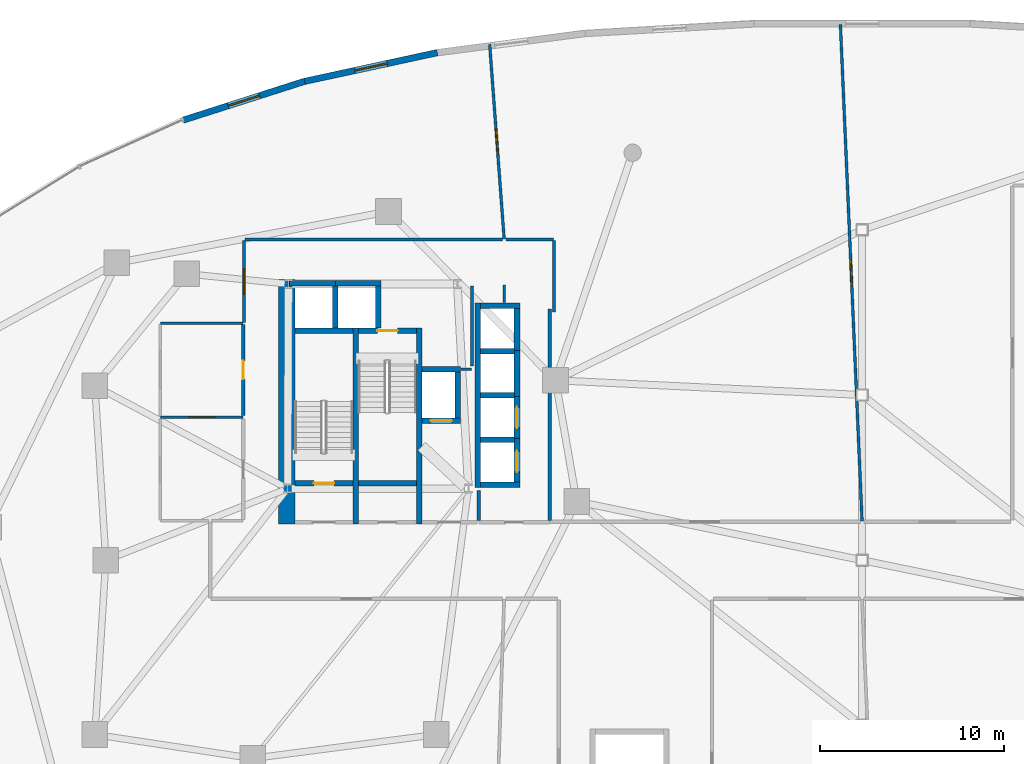
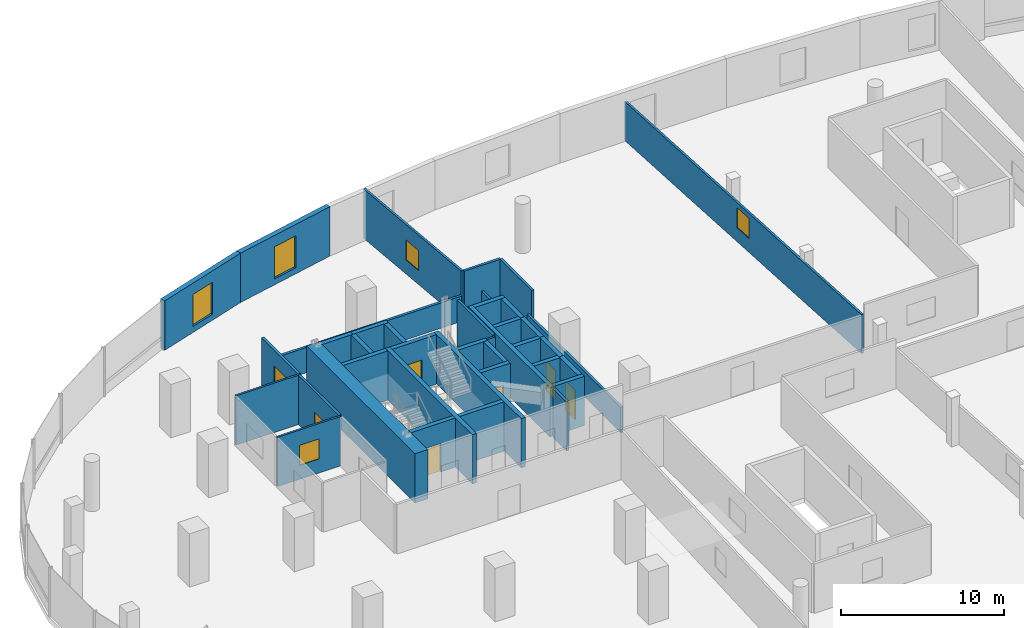
# One storey, part 13 of 18: 40 walls, 6 doors, 6 windows, 12 openings.
"""IFC4 building model written with IfcOpenShell, lengths in metres."""

import ifcopenshell
import ifcopenshell.guid

model = None  # the IFC model being written
_history = None  # IfcOwnerHistory: only IFC2X3 demands one
_inside = {}  # id of a spatial element -> (the spatial element, [elements in it])
_under = {}  # id of a project, library or spatial element -> (it, [spatial elements below it])
_declared = {}  # id of a project -> (the project, [libraries it declares])
_typed = {}  # id of a type object -> (the type object, [elements of that type])
_made_of = {}  # id of a material, layer set ... -> (it, [elements and type objects made of it])


def new_model(schema):
    """Start an empty IFC model of exactly this schema.

    Asked for "IFC4X3", IfcOpenShell would pick the latest addendum, in which some entities
    have other attributes; the version numbers below select the first issue.
    IFC2X3 requires an IfcOwnerHistory on every rooted entity: one is made here for all.
    """
    global model, _history
    if schema == "IFC4X3":
        model = ifcopenshell.file(schema_version=(4, 3, 0, 0))
    else:
        model = ifcopenshell.file(schema=schema)
    _inside.clear()
    _under.clear()
    _declared.clear()
    _typed.clear()
    _made_of.clear()
    _history = None
    if model.schema == "IFC2X3":
        org = make("IfcOrganization", Name="unknown")
        user = make(
            "IfcPersonAndOrganization",
            ThePerson=make("IfcPerson", FamilyName="unknown"),
            TheOrganization=org,
        )
        app = make(
            "IfcApplication",
            ApplicationDeveloper=org,
            Version="unknown",
            ApplicationFullName="unknown",
            ApplicationIdentifier="unknown",
        )
        _history = make(
            "IfcOwnerHistory",
            OwningUser=user,
            OwningApplication=app,
            ChangeAction="ADDED",
            CreationDate=0,
        )
    return model


def make(cls, **values):
    """One entity of the class cls with the attributes given. An attribute that is None is left unset."""
    return model.create_entity(
        cls, **{name: value for name, value in values.items() if value is not None}
    )


def rooted(cls, **values):
    """An entity with a GlobalId (a new one), such as an element, a storey or a relation."""
    return make(cls, GlobalId=ifcopenshell.guid.new(), OwnerHistory=_history, **values)


def si_unit(unit_type, name, prefix=None):
    """IfcSIUnit, for example si_unit("LENGTHUNIT", "METRE", prefix="MILLI")."""
    return make("IfcSIUnit", UnitType=unit_type, Prefix=prefix, Name=name)


def assignment(units):
    """IfcUnitAssignment: the units of a project."""
    return None if units is None else make("IfcUnitAssignment", Units=units)


def point(xyz):
    """IfcCartesianPoint."""
    return None if xyz is None else make("IfcCartesianPoint", Coordinates=xyz)


def direction(xyz):
    """IfcDirection."""
    return None if xyz is None else make("IfcDirection", DirectionRatios=xyz)


def frame(location, z_axis=None, x_axis=None):
    """IfcAxis2Placement3D, a coordinate frame: its origin and axes. An axis left out is left unset."""
    return make(
        "IfcAxis2Placement3D",
        Location=point(location),
        Axis=direction(z_axis),
        RefDirection=direction(x_axis),
    )


def frame_2d(location, x_axis=None):
    """IfcAxis2Placement2D, a coordinate frame in the plane: its origin and x axis."""
    return make(
        "IfcAxis2Placement2D", Location=point(location), RefDirection=direction(x_axis)
    )


def origin():
    """The frame at (0, 0, 0) with its axes left unset."""
    return frame((0.0, 0.0, 0.0))


def place(relative_to, where):
    """IfcLocalPlacement: puts the frame where relative to a parent placement (None: the world)."""
    return make(
        "IfcLocalPlacement", PlacementRelTo=relative_to, RelativePlacement=where
    )


def context(
    kind, dimensions, precision=None, world=None, true_north=None, identifier=None
):
    """IfcGeometricRepresentationContext, for example the 3D "Model" context."""
    return make(
        "IfcGeometricRepresentationContext",
        ContextIdentifier=identifier,
        ContextType=kind,
        CoordinateSpaceDimension=dimensions,
        Precision=precision,
        WorldCoordinateSystem=world,
        TrueNorth=true_north,
    )


def subcontext(parent, identifier, kind, view, scale=None):
    """IfcGeometricRepresentationSubContext, for example "Body" below "Model"."""
    return make(
        "IfcGeometricRepresentationSubContext",
        ContextIdentifier=identifier,
        ContextType=kind,
        ParentContext=parent,
        TargetScale=scale,
        TargetView=view,
    )


def project(units=None, contexts=None):
    """IfcProject with its units and contexts."""
    return rooted(
        "IfcProject",
        Name="project",
        RepresentationContexts=contexts,
        UnitsInContext=assignment(units),
    )


def spatial(cls, under=None, at=None, **own):
    """A site, building, storey or space (cls), placed at a placement, below another one or the project."""
    s = rooted(cls, ObjectPlacement=at, **own)
    if under is not None:
        _under.setdefault(under.id(), (under, []))[1].append(s)
    return s


def profile(cls, at=None, kind="AREA", **sizes):
    """A parametric profile (cls). Its sizes go by their IFC names, for example OverallWidth=200.0."""
    return make(cls, ProfileType=kind, Position=at, **sizes)


def rectangle(**sizes):
    """IfcRectangleProfileDef."""
    return profile("IfcRectangleProfileDef", **sizes)


def extrude(swept, where, along, depth):
    """IfcExtrudedAreaSolid: the profile swept, set in the frame where, extruded along a direction by depth."""
    return make(
        "IfcExtrudedAreaSolid",
        SweptArea=swept,
        Position=where,
        ExtrudedDirection=direction(along),
        Depth=depth,
    )


def shape(context_of_items, identifier, shape_type, items):
    """IfcShapeRepresentation: the items that make up one representation, for example the "Body"."""
    return make(
        "IfcShapeRepresentation",
        ContextOfItems=context_of_items,
        RepresentationIdentifier=identifier,
        RepresentationType=shape_type,
        Items=items,
    )


def material(Name=None, Category=None):
    """IfcMaterial."""
    return make("IfcMaterial", Name=Name, Category=Category)


def layer(
    of_material, thickness, ventilated=None, Name=None, Category=None, Priority=None
):
    """IfcMaterialLayer: one layer of a wall or slab, of a material (None: an air gap)."""
    return make(
        "IfcMaterialLayer",
        Material=of_material,
        LayerThickness=thickness,
        IsVentilated=ventilated,
        Name=Name,
        Category=Category,
        Priority=Priority,
    )


def layer_set(layers, Name=None):
    """IfcMaterialLayerSet."""
    return make("IfcMaterialLayerSet", MaterialLayers=layers, LayerSetName=Name)


def made_of(thing, what):
    """Note that an element or type object is made of a material, layer set ...; save() writes the relation."""
    if what is not None:
        _made_of.setdefault(what.id(), (what, []))[1].append(thing)
    return thing


def type_object(cls, material=None, **own):
    """A type object (cls), such as IfcWallType, which elements share."""
    return made_of(rooted(cls, **own), material)


def element(
    cls,
    number,
    at=None,
    inside=None,
    cuts=None,
    type_object=None,
    material=None,
    context=None,
    identifier="Body",
    shape_type=None,
    held_by="IfcProductDefinitionShape",
    body=None,
    shapes=None,
    **own,
):
    """One element of the class cls, such as IfcWall. Its Tag is "e" and its number.

    at: its placement. inside: the storey or other place that contains it. cuts: it is an
    opening in that element (IfcRelVoidsElement). A single representation is given by context,
    identifier, shape_type and body (its items); several are given by shapes. held_by: the class
    of the entity that holds the representations. save() writes the other relations.
    """
    e = rooted(cls, Tag="e%d" % number, ObjectPlacement=at, **own)
    if body is not None:
        shapes = [shape(context, identifier, shape_type, body)]
    if shapes is not None:
        e.Representation = make(held_by, Representations=shapes)
    if inside is not None:
        _inside.setdefault(inside.id(), (inside, []))[1].append(e)
    if cuts is not None:
        rooted(
            "IfcRelVoidsElement", RelatingBuildingElement=cuts, RelatedOpeningElement=e
        )
    if type_object is not None:
        _typed.setdefault(type_object.id(), (type_object, []))[1].append(e)
    return made_of(e, material)


def fill(opening, filler):
    """IfcRelFillsElement: the door or window that sits in an opening."""
    return rooted(
        "IfcRelFillsElement",
        RelatingOpeningElement=opening,
        RelatedBuildingElement=filler,
    )


def aggregate(whole, parts):
    """IfcRelAggregates: a whole, such as a stair, and the parts it consists of."""
    return rooted("IfcRelAggregates", RelatingObject=whole, RelatedObjects=parts)


def save(model, path):
    """Write the relations noted so far, then the file.

    IfcRelAggregates (storeys below a building ...), IfcRelContainedInSpatialStructure (elements
    in a storey), IfcRelDefinesByType, IfcRelAssociatesMaterial and IfcRelDeclares: one each for
    every whole, place, type object, material and project.
    """
    for whole, parts in _under.values():
        aggregate(whole, parts)
    for where, things in _inside.values():
        rooted(
            "IfcRelContainedInSpatialStructure",
            RelatedElements=things,
            RelatingStructure=where,
        )
    for kind, things in _typed.values():
        rooted("IfcRelDefinesByType", RelatedObjects=things, RelatingType=kind)
    for what, things in _made_of.values():
        rooted("IfcRelAssociatesMaterial", RelatedObjects=things, RelatingMaterial=what)
    for by, libraries in _declared.values():
        rooted("IfcRelDeclares", RelatingContext=by, RelatedDefinitions=libraries)
    model.write(path)


model = new_model("IFC4")

# Units and contexts
model_context = context("Model", 3, precision=1e-05, world=origin(), true_north=direction((0.0, 1.0)))
body_context = subcontext(model_context, "Body", "Model", "MODEL_VIEW")
ifc_project = project(units=[si_unit("LENGTHUNIT", "METRE"), si_unit("AREAUNIT", "SQUARE_METRE"), si_unit("VOLUMEUNIT", "CUBIC_METRE"), si_unit("PLANEANGLEUNIT", "RADIAN"), si_unit("MASSUNIT", "GRAM", prefix="KILO"), si_unit("THERMODYNAMICTEMPERATUREUNIT", "KELVIN"), si_unit("POWERUNIT", "WATT")], contexts=[model_context])

# Site, building, storey
site_placement = place(None, origin())
site = spatial("IfcSite", under=ifc_project, at=site_placement, CompositionType="ELEMENT")
building_placement = place(site_placement, origin())
building = spatial("IfcBuilding", under=site, at=building_placement, Name="Cundina Bronze Exchange", CompositionType="ELEMENT")
storey_placement = place(building_placement, frame((0.0, 0.0, 20.0)))
storey = spatial("IfcBuildingStorey", under=building, at=storey_placement, Name="L04", CompositionType="ELEMENT", Elevation=20.0)

# Walls
ifc_material_1 = material(Name="Gypsum Fireboard Partition EI120")
ifc_layer_1 = layer(ifc_material_1, 0.179931640625, Name="Gypsum Fireboard Partition EI120")
ifc_layer_set_1 = layer_set([ifc_layer_1], Name="Gypsum Fireboard Partition EI120")
wall_type_1 = type_object("IfcWallType", Name="WL-COR-180", PredefinedType="PARTITIONING", material=ifc_layer_set_1)
wall_1_placement = place(storey_placement, frame((-20.889892578125, 2.14990234375, 0.0), z_axis=(0.0, 0.0, 1.0), x_axis=(0.0, 1.0, 0.0)))
element("IfcWall", 1, at=wall_1_placement, inside=storey, type_object=wall_type_1, Name="L04 W Firefighting Lobby Side Wall", PredefinedType="PARTITIONING", context=body_context, shape_type="SweptSolid", body=[
    extrude(rectangle(XDim=1.650146484375, YDim=0.179931640625, at=frame_2d((0.8251953125, 0.0))), origin(), (0.0, 0.0, 1.0), 3.699951171875),
])
wall_2_placement = place(storey_placement, frame((-17.02001953125, 2.169921875, 0.0), z_axis=(0.0, 0.0, 1.0), x_axis=(0.0, 1.0, 0.0)))
element("IfcWall", 2, at=wall_2_placement, inside=storey, type_object=wall_type_1, Name="L04 Interior Partition 001", PredefinedType="PARTITIONING", context=body_context, shape_type="SweptSolid", body=[
    extrude(rectangle(XDim=11.510009765625, YDim=0.179931640625, at=frame_2d((5.7548828125, 0.0))), origin(), (0.0, 0.0, 1.0), 1.89990234375),
])
wall_3_placement = place(storey_placement, frame((-21.25, 10.570068359375, 0.0), z_axis=(0.0, 0.0, 1.0), x_axis=(0.0, 1.0, 0.0)))
element("IfcWall", 3, at=wall_3_placement, inside=storey, type_object=wall_type_1, Name="L04 Interior Partition 004", PredefinedType="PARTITIONING", context=body_context, shape_type="SweptSolid", body=[
    extrude(rectangle(XDim=4.35986328125, YDim=0.179931640625, at=frame_2d((2.179931640625, 0.0))), origin(), (0.0, 0.0, 1.0), 3.699951171875),
])

# Wall, opening, door
wall_4_placement = place(storey_placement, frame((-33.719970703125, 7.8798828125, 0.0), z_axis=(0.0, 0.0, 1.0), x_axis=(0.0, 1.0, 0.0)))
wall_4 = element("IfcWall", 4, at=wall_4_placement, inside=storey, type_object=wall_type_1, Name="L04 Interior Partition 018", PredefinedType="PARTITIONING", context=body_context, shape_type="SweptSolid", body=[
    extrude(rectangle(XDim=4.960205078125, YDim=0.179931640625, at=frame_2d((2.47998046875, 0.0))), origin(), (0.0, 0.0, 1.0), 3.699951171875),
])
opening_1_placement = place(wall_4_placement, frame((1.97998046875, 0.0, 0.0)))
opening_1 = element("IfcOpeningElement", 5, at=opening_1_placement, cuts=wall_4, Name="Opening DO-01", PredefinedType="OPENING", context=body_context, shape_type="SweptSolid", body=[
    extrude(rectangle(XDim=1.0, YDim=2.14990234375, at=frame_2d((0.5, 1.074951171875))), frame((0.0, 0.099853515625, 0.0), z_axis=(0.0, -1.0, 0.0), x_axis=(1.0, 0.0, 0.0)), (0.0, 0.0, 1.0), 0.199951171875),
])
ifc_material_2 = material(Name="Solid Andean Oak Timber Grade A", Category="wood")
door_type_1 = type_object("IfcDoorType", Name="DR-OFF-1000", OperationType="NOTDEFINED", PredefinedType="DOOR", material=ifc_material_2)
door_1_placement = place(opening_1_placement, origin())
door_1 = element("IfcDoor", 6, at=door_1_placement, inside=storey, type_object=door_type_1, Name="L04 Interior Door 018", OperationType="SINGLE_SWING_RIGHT", OverallHeight=2.14990234375, OverallWidth=1.0, PredefinedType="DOOR", context=body_context, shape_type="SweptSolid", body=[
    extrude(rectangle(XDim=1.0, YDim=2.14990234375, at=frame_2d((0.5, 1.074951171875))), frame((0.0, 0.02490234375, 0.0), z_axis=(0.0, -1.0, 0.0), x_axis=(1.0, 0.0, 0.0)), (0.0, 0.0, 1.0), 0.050048828125),
])
fill(opening_1, door_1)

# Wall
wall_5_placement = place(storey_placement, frame((-19.594970703125, 17.469970703125, 0.0), z_axis=(0.0, 0.0, 1.0), x_axis=(-1.0, 0.0, 0.0)))
element("IfcWall", 7, at=wall_5_placement, inside=storey, type_object=wall_type_1, Name="L04 Interior Partition 036", PredefinedType="PARTITIONING", context=body_context, shape_type="SweptSolid", body=[
    extrude(rectangle(XDim=14.033447265625, YDim=0.179931640625, at=frame_2d((7.0166015625, 0.0))), origin(), (0.0, 0.0, 1.0), 1.89990234375),
])

# Wall, opening, window
wall_6_placement = place(storey_placement, frame((-33.669921875, 17.428466796875, 0.0), z_axis=(0.0, 0.0, 1.0), x_axis=(0.0, -1.0, 0.0)))
wall_6 = element("IfcWall", 8, at=wall_6_placement, inside=storey, type_object=wall_type_1, Name="L04 Interior Partition 037", PredefinedType="PARTITIONING", context=body_context, shape_type="SweptSolid", body=[
    extrude(rectangle(XDim=4.47705078125, YDim=0.179931640625, at=frame_2d((2.238525390625, 0.0))), origin(), (0.0, 0.0, 1.0), 3.699951171875),
])
opening_2_placement = place(wall_6_placement, frame((1.5390625, 0.0, 1.050048828125)))
opening_2 = element("IfcOpeningElement", 9, at=opening_2_placement, cuts=wall_6, Name="Opening WI-02", PredefinedType="OPENING", context=body_context, shape_type="SweptSolid", body=[
    extrude(rectangle(XDim=1.39990234375, YDim=1.5, at=frame_2d((0.699951171875, 0.75))), frame((0.0, 0.099853515625, 0.0), z_axis=(0.0, -1.0, 0.0), x_axis=(1.0, 0.0, 0.0)), (0.0, 0.0, 1.0), 0.199951171875),
])
ifc_material_3 = material(Name="Clear Low-E Insulating Glass 26mm", Category="glass")
window_type_1 = type_object("IfcWindowType", Name="WN-INT-1400", PartitioningType="SINGLE_PANEL", PredefinedType="WINDOW", material=ifc_material_3)
window_1_placement = place(opening_2_placement, origin())
window_1 = element("IfcWindow", 10, at=window_1_placement, inside=storey, type_object=window_type_1, Name="L04 Interior Acoustic Vision Window 037", OverallHeight=1.5, OverallWidth=1.39990234375, PartitioningType="SINGLE_PANEL", PredefinedType="WINDOW", context=body_context, shape_type="SweptSolid", body=[
    extrude(rectangle(XDim=1.39990234375, YDim=1.5, at=frame_2d((0.699951171875, 0.75))), frame((0.0, 0.030029296875, 0.0), z_axis=(0.0, -1.0, 0.0), x_axis=(1.0, 0.0, 0.0)), (0.0, 0.0, 1.0), 0.06005859375),
])
fill(opening_2, window_1)

# Walls
wall_7_placement = place(storey_placement, frame((-16.780029296875, 13.521484375, 0.0), z_axis=(0.0, 0.0, 1.0), x_axis=(0.0, 1.0, 0.0)))
element("IfcWall", 11, at=wall_7_placement, inside=storey, type_object=wall_type_1, Name="L04 Interior Partition 045", PredefinedType="PARTITIONING", context=body_context, shape_type="SweptSolid", body=[
    extrude(rectangle(XDim=3.906982421875, YDim=0.179931640625, at=frame_2d((1.95361328125, 0.0))), origin(), (0.0, 0.0, 1.0), 3.699951171875),
])
wall_8_placement = place(storey_placement, frame((-16.821533203125, 17.469970703125, 0.0), z_axis=(0.0, 0.0, 1.0), x_axis=(-1.0, 0.0, 0.0)))
element("IfcWall", 12, at=wall_8_placement, inside=storey, type_object=wall_type_1, Name="L04 Interior Partition 046", PredefinedType="PARTITIONING", context=body_context, shape_type="SweptSolid", body=[
    extrude(rectangle(XDim=2.58349609375, YDim=0.179931640625, at=frame_2d((1.291748046875, 0.0))), origin(), (0.0, 0.0, 1.0), 3.699951171875),
])
ifc_material_4 = material(Name="Concrete C60/75", Category="concrete")
ifc_layer_2 = layer(ifc_material_4, 0.89990234375, Name="Concrete C60/75", Category="concrete")
ifc_layer_set_2 = layer_set([ifc_layer_2], Name="Concrete C60/75")
wall_type_2 = type_object("IfcWallType", Name="WL-CORE-900", PredefinedType="SHEAR", material=ifc_layer_set_2)
wall_9_placement = place(storey_placement, frame((-31.35009765625, 1.969970703125, 0.0), z_axis=(0.0, 0.0, 1.0), x_axis=(0.0, 1.0, 0.0)))
element("IfcWall", 13, at=wall_9_placement, inside=storey, type_object=wall_type_2, Name="L04 W Primary Core Shear Spine Wall", PredefinedType="SHEAR", context=body_context, shape_type="SweptSolid", body=[
    extrude(rectangle(XDim=13.330078125, YDim=0.89990234375, at=frame_2d((6.6650390625, 0.0))), origin(), (0.0, 0.0, 1.0), 3.699951171875),
])

# Wall, opening, window
ifc_material_5 = material(Name="Concrete C40/50", Category="concrete")
ifc_layer_3 = layer(ifc_material_5, 0.35009765625, Name="Concrete C40/50", Category="concrete")
ifc_layer_set_3 = layer_set([ifc_layer_3], Name="Concrete C40/50")
wall_type_3 = type_object("IfcWallType", Name="WL-EXT-350", PredefinedType="SOLIDWALL", material=ifc_layer_set_3)
wall_10_placement = place(storey_placement, frame((-23.139892578125, 27.65234375, 0.0), z_axis=(0.0, 0.0, 1.0), x_axis=(-0.977456656467, -0.211136175795, 0.0)))
wall_10 = element("IfcWall", 14, at=wall_10_placement, inside=storey, type_object=wall_type_3, Name="L04 Podium Exterior Wall 13", PredefinedType="SOLIDWALL", context=body_context, shape_type="SweptSolid", body=[
    extrude(rectangle(XDim=7.40625, YDim=0.35009765625, at=frame_2d((3.703125, 0.0))), origin(), (0.0, 0.0, 1.0), 3.699951171875),
])
opening_3_placement = place(wall_10_placement, frame((2.802978515625, 0.0, 0.449951171875)))
opening_3 = element("IfcOpeningElement", 15, at=opening_3_placement, cuts=wall_10, Name="Opening W-02", PredefinedType="OPENING", context=body_context, shape_type="SweptSolid", body=[
    extrude(rectangle(XDim=1.800048828125, YDim=2.39990234375, at=frame_2d((0.89990234375, 1.199951171875))), frame((0.0, 0.18505859375, 0.0), z_axis=(0.0, -1.0, 0.0), x_axis=(1.0, 0.0, 0.0)), (0.0, 0.0, 1.0), 0.3701171875),
])
ifc_material_6 = material(Name="Heat-Strengthened Solar-Control Bronze Safety Glass 28mm", Category="glass")
window_type_2 = type_object("IfcWindowType", Name="WN-POD-1800", PartitioningType="SINGLE_PANEL", PredefinedType="WINDOW", material=ifc_material_6)
window_2_placement = place(opening_3_placement, origin())
window_2 = element("IfcWindow", 16, at=window_2_placement, inside=storey, type_object=window_type_2, Name="L04 Podium Punched Window 13", OverallHeight=2.39990234375, OverallWidth=1.800048828125, PartitioningType="SINGLE_PANEL", PredefinedType="WINDOW", context=body_context, shape_type="SweptSolid", body=[
    extrude(rectangle(XDim=1.800048828125, YDim=2.39990234375, at=frame_2d((0.89990234375, 1.199951171875))), frame((0.0, 0.030029296875, 0.0), z_axis=(0.0, -1.0, 0.0), x_axis=(1.0, 0.0, 0.0)), (0.0, 0.0, 1.0), 0.06005859375),
])
fill(opening_3, window_2)

wall_11_placement = place(storey_placement, frame((-30.379150390625, 26.088623046875, 0.0), z_axis=(0.0, 0.0, 1.0), x_axis=(-0.952587993211, -0.304263233385, 0.0)))
wall_11 = element("IfcWall", 17, at=wall_11_placement, inside=storey, type_object=wall_type_3, Name="L04 Podium Exterior Wall 14", PredefinedType="SOLIDWALL", context=body_context, shape_type="SweptSolid", body=[
    extrude(rectangle(XDim=6.931884765625, YDim=0.35009765625, at=frame_2d((3.4658203125, 0.0))), origin(), (0.0, 0.0, 1.0), 3.699951171875),
])
opening_4_placement = place(wall_11_placement, frame((2.56591796875, 0.0, 0.449951171875)))
opening_4 = element("IfcOpeningElement", 18, at=opening_4_placement, cuts=wall_11, Name="Opening W-02", PredefinedType="OPENING", context=body_context, shape_type="SweptSolid", body=[
    extrude(rectangle(XDim=1.800048828125, YDim=2.39990234375, at=frame_2d((0.89990234375, 1.199951171875))), frame((0.0, 0.18505859375, 0.0), z_axis=(0.0, -1.0, 0.0), x_axis=(1.0, 0.0, 0.0)), (0.0, 0.0, 1.0), 0.3701171875),
])
window_3_placement = place(opening_4_placement, origin())
window_3 = element("IfcWindow", 19, at=window_3_placement, inside=storey, type_object=window_type_2, Name="L04 Podium Punched Window 14", OverallHeight=2.39990234375, OverallWidth=1.800048828125, PartitioningType="SINGLE_PANEL", PredefinedType="WINDOW", context=body_context, shape_type="SweptSolid", body=[
    extrude(rectangle(XDim=1.800048828125, YDim=2.39990234375, at=frame_2d((0.89990234375, 1.199951171875))), frame((0.0, 0.030029296875, 0.0), z_axis=(0.0, -1.0, 0.0), x_axis=(1.0, 0.0, 0.0)), (0.0, 0.0, 1.0), 0.06005859375),
])
fill(opening_4, window_3)

# Walls
ifc_material_7 = material(Name="Concrete C50/60", Category="concrete")
ifc_layer_4 = layer(ifc_material_7, 0.300048828125, Name="Concrete C50/60", Category="concrete")
ifc_layer_set_4 = layer_set([ifc_layer_4], Name="Concrete C50/60")
wall_type_4 = type_object("IfcWallType", Name="WL-SHFT-300", PredefinedType="SHEAR", material=ifc_layer_set_4)
for number, where, z_axis, x_axis, name in (
    (20, (-27.590087890625, 1.969970703125, 0.0), (0.0, 0.0, 1.0), (0.0, 1.0, 0.0), "L04 W Stair Shaft Dividing Shear Wall"),
    (21, (-24.1298828125, 1.969970703125, 0.0), (0.0, 0.0, 1.0), (0.0, 1.0, 0.0), "L04 W Stair 2 East Shear Wall"),
):
    element("IfcWall", number, at=place(storey_placement, frame(where, z_axis=z_axis, x_axis=x_axis)), inside=storey, type_object=wall_type_4, Name=name, PredefinedType="SHEAR", context=body_context, shape_type="SweptSolid", body=[
        extrude(rectangle(XDim=10.679931640625, YDim=0.300048828125, at=frame_2d((5.33984375, 0.0))), origin(), (0.0, 0.0, 1.0), 3.699951171875),
    ])

# Wall, opening, door
wall_12_placement = place(storey_placement, frame((-30.89990234375, 4.199951171875, 0.0), z_axis=(0.0, 0.0, 1.0), x_axis=(1.0, 0.0, 0.0)))
wall_12 = element("IfcWall", 22, at=wall_12_placement, inside=storey, type_object=wall_type_4, Name="L04 Stair W1 Landing Wall", PredefinedType="SHEAR", context=body_context, shape_type="SweptSolid", body=[
    extrude(rectangle(XDim=3.159912109375, YDim=0.300048828125, at=frame_2d((1.580078125, 0.0))), origin(), (0.0, 0.0, 1.0), 3.699951171875),
])
opening_5_placement = place(wall_12_placement, frame((1.030029296875, 0.0, 0.0)))
opening_5 = element("IfcOpeningElement", 23, at=opening_5_placement, cuts=wall_12, Name="Opening DS-01", PredefinedType="OPENING", context=body_context, shape_type="SweptSolid", body=[
    extrude(rectangle(XDim=1.10009765625, YDim=2.14990234375, at=frame_2d((0.550048828125, 1.074951171875))), frame((0.0, 0.159912109375, 0.0), z_axis=(0.0, -1.0, 0.0), x_axis=(1.0, 0.0, 0.0)), (0.0, 0.0, 1.0), 0.320068359375),
])
ifc_material_8 = material(Name="Steel ASTM A36 Painted", Category="steel")
door_type_2 = type_object("IfcDoorType", Name="DR-STR-1100", OperationType="NOTDEFINED", PredefinedType="DOOR", material=ifc_material_8)
door_2_placement = place(opening_5_placement, origin())
door_2 = element("IfcDoor", 24, at=door_2_placement, inside=storey, type_object=door_type_2, Name="L04 Smokeproof Stair W1 Door", OperationType="SINGLE_SWING_RIGHT", OverallHeight=2.14990234375, OverallWidth=1.10009765625, PredefinedType="DOOR", context=body_context, shape_type="SweptSolid", body=[
    extrude(rectangle(XDim=1.10009765625, YDim=2.14990234375, at=frame_2d((0.550048828125, 1.074951171875))), frame((0.0, 0.02490234375, 0.0), z_axis=(0.0, -1.0, 0.0), x_axis=(1.0, 0.0, 0.0)), (0.0, 0.0, 1.0), 0.050048828125),
])
fill(opening_5, door_2)

# Wall
wall_13_placement = place(storey_placement, frame((-30.89990234375, 12.5, 0.0), z_axis=(0.0, 0.0, 1.0), x_axis=(1.0, 0.0, 0.0)))
element("IfcWall", 25, at=wall_13_placement, inside=storey, type_object=wall_type_4, Name="L04 Stair W1 Far Shaft Wall", PredefinedType="SHEAR", context=body_context, shape_type="SweptSolid", body=[
    extrude(rectangle(XDim=3.159912109375, YDim=0.300048828125, at=frame_2d((1.580078125, 0.0))), origin(), (0.0, 0.0, 1.0), 3.699951171875),
])

# Wall, opening, door
wall_14_placement = place(storey_placement, frame((-27.43994140625, 12.5, 0.0), z_axis=(0.0, 0.0, 1.0), x_axis=(1.0, 0.0, 0.0)))
wall_14 = element("IfcWall", 26, at=wall_14_placement, inside=storey, type_object=wall_type_4, Name="L04 Stair W2 Landing Wall", PredefinedType="SHEAR", context=body_context, shape_type="SweptSolid", body=[
    extrude(rectangle(XDim=3.159912109375, YDim=0.300048828125, at=frame_2d((1.580078125, 0.0))), origin(), (0.0, 0.0, 1.0), 3.699951171875),
])
opening_6_placement = place(wall_14_placement, frame((1.030029296875, 0.0, 0.0)))
opening_6 = element("IfcOpeningElement", 27, at=opening_6_placement, cuts=wall_14, Name="Opening DS-01", PredefinedType="OPENING", context=body_context, shape_type="SweptSolid", body=[
    extrude(rectangle(XDim=1.10009765625, YDim=2.14990234375, at=frame_2d((0.550048828125, 1.074951171875))), frame((0.0, 0.159912109375, 0.0), z_axis=(0.0, -1.0, 0.0), x_axis=(1.0, 0.0, 0.0)), (0.0, 0.0, 1.0), 0.320068359375),
])
door_3_placement = place(opening_6_placement, origin())
door_3 = element("IfcDoor", 28, at=door_3_placement, inside=storey, type_object=door_type_2, Name="L04 Smokeproof Stair W2 Door", OperationType="SINGLE_SWING_LEFT", OverallHeight=2.14990234375, OverallWidth=1.10009765625, PredefinedType="DOOR", context=body_context, shape_type="SweptSolid", body=[
    extrude(rectangle(XDim=1.10009765625, YDim=2.14990234375, at=frame_2d((0.550048828125, 1.074951171875))), frame((0.0, 0.02490234375, 0.0), z_axis=(0.0, -1.0, 0.0), x_axis=(1.0, 0.0, 0.0)), (0.0, 0.0, 1.0), 0.050048828125),
])
fill(opening_6, door_3)

# Wall
wall_15_placement = place(storey_placement, frame((-27.43994140625, 4.199951171875, 0.0), z_axis=(0.0, 0.0, 1.0), x_axis=(1.0, 0.0, 0.0)))
element("IfcWall", 29, at=wall_15_placement, inside=storey, type_object=wall_type_4, Name="L04 Stair W2 Far Shaft Wall", PredefinedType="SHEAR", context=body_context, shape_type="SweptSolid", body=[
    extrude(rectangle(XDim=3.159912109375, YDim=0.300048828125, at=frame_2d((1.580078125, 0.0))), origin(), (0.0, 0.0, 1.0), 3.699951171875),
])

# Wall, opening, door
wall_16_placement = place(storey_placement, frame((-23.97998046875, 7.60009765625, 0.0), z_axis=(0.0, 0.0, 1.0), x_axis=(1.0, 0.0, 0.0)))
wall_16 = element("IfcWall", 30, at=wall_16_placement, inside=storey, type_object=wall_type_4, Name="L04 FFL-W Hoistway Front Wall", PredefinedType="SHEAR", context=body_context, shape_type="SweptSolid", body=[
    extrude(rectangle(XDim=2.10009765625, YDim=0.300048828125, at=frame_2d((1.050048828125, 0.0))), origin(), (0.0, 0.0, 1.0), 3.699951171875),
])
opening_7_placement = place(wall_16_placement, frame((0.47509765625, 0.0, 0.0)))
opening_7 = element("IfcOpeningElement", 31, at=opening_7_placement, cuts=wall_16, Name="Opening LD-01", PredefinedType="OPENING", context=body_context, shape_type="SweptSolid", body=[
    extrude(rectangle(XDim=1.14990234375, YDim=2.199951171875, at=frame_2d((0.574951171875, 1.10009765625))), frame((0.0, 0.159912109375, 0.0), z_axis=(0.0, -1.0, 0.0), x_axis=(1.0, 0.0, 0.0)), (0.0, 0.0, 1.0), 0.320068359375),
])
door_type_3 = type_object("IfcDoorType", Name="DR-LND-1150", OperationType="NOTDEFINED", PredefinedType="TRAPDOOR", material=ifc_material_8)
door_4_placement = place(opening_7_placement, origin())
door_4 = element("IfcDoor", 32, at=door_4_placement, inside=storey, type_object=door_type_3, Name="L04 FFL-W Sliding Landing Door", OperationType="SLIDING_TO_LEFT", OverallHeight=2.199951171875, OverallWidth=1.14990234375, PredefinedType="TRAPDOOR", context=body_context, shape_type="SweptSolid", body=[
    extrude(rectangle(XDim=1.14990234375, YDim=2.199951171875, at=frame_2d((0.574951171875, 1.10009765625))), frame((0.0, 0.02490234375, 0.0), z_axis=(0.0, -1.0, 0.0), x_axis=(1.0, 0.0, 0.0)), (0.0, 0.0, 1.0), 0.050048828125),
])
fill(opening_7, door_4)

# Walls
wall_17_placement = place(storey_placement, frame((-23.97998046875, 10.39990234375, 0.0), z_axis=(0.0, 0.0, 1.0), x_axis=(1.0, 0.0, 0.0)))
element("IfcWall", 33, at=wall_17_placement, inside=storey, type_object=wall_type_4, Name="L04 FFL-W Hoistway Back Wall", PredefinedType="SHEAR", context=body_context, shape_type="SweptSolid", body=[
    extrude(rectangle(XDim=2.10009765625, YDim=0.300048828125, at=frame_2d((1.050048828125, 0.0))), origin(), (0.0, 0.0, 1.0), 3.699951171875),
])
for number, where, z_axis, x_axis, name in (
    (34, (-22.030029296875, 7.75, 0.0), (0.0, 0.0, 1.0), (0.0, 1.0, 0.0), "L04 FFL-W Hoistway Side Wall"),
    (35, (-31.199951171875, 15.10009765625, 0.0), (0.0, 0.0, 1.0), (1.0, 0.0, 0.0), "L04 PH-W1 Hoistway Front Wall"),
):
    element("IfcWall", number, at=place(storey_placement, frame(where, z_axis=z_axis, x_axis=x_axis)), inside=storey, type_object=wall_type_4, Name=name, PredefinedType="SHEAR", context=body_context, shape_type="SweptSolid", body=[
        extrude(rectangle(XDim=2.5, YDim=0.300048828125, at=frame_2d((1.25, 0.0))), origin(), (0.0, 0.0, 1.0), 3.699951171875),
    ])
wall_18_placement = place(storey_placement, frame((-28.699951171875, 12.64990234375, 0.0), z_axis=(0.0, 0.0, 1.0), x_axis=(0.0, 1.0, 0.0)))
element("IfcWall", 36, at=wall_18_placement, inside=storey, type_object=wall_type_4, Name="L04 PH-W1 Hoistway Divider Wall", PredefinedType="SHEAR", context=body_context, shape_type="SweptSolid", body=[
    extrude(rectangle(XDim=2.300048828125, YDim=0.300048828125, at=frame_2d((1.14990234375, 0.0))), origin(), (0.0, 0.0, 1.0), 3.699951171875),
])
wall_19_placement = place(storey_placement, frame((-28.699951171875, 15.10009765625, 0.0), z_axis=(0.0, 0.0, 1.0), x_axis=(1.0, 0.0, 0.0)))
element("IfcWall", 37, at=wall_19_placement, inside=storey, type_object=wall_type_4, Name="L04 PH-W2 Hoistway Front Wall", PredefinedType="SHEAR", context=body_context, shape_type="SweptSolid", body=[
    extrude(rectangle(XDim=2.5, YDim=0.300048828125, at=frame_2d((1.25, 0.0))), origin(), (0.0, 0.0, 1.0), 3.699951171875),
])
wall_20_placement = place(storey_placement, frame((-26.35009765625, 12.64990234375, 0.0), z_axis=(0.0, 0.0, 1.0), x_axis=(0.0, 1.0, 0.0)))
element("IfcWall", 38, at=wall_20_placement, inside=storey, type_object=wall_type_4, Name="L04 PH-W2 Hoistway Divider Wall", PredefinedType="SHEAR", context=body_context, shape_type="SweptSolid", body=[
    extrude(rectangle(XDim=2.300048828125, YDim=0.300048828125, at=frame_2d((1.14990234375, 0.0))), origin(), (0.0, 0.0, 1.0), 3.699951171875),
])
wall_21_placement = place(storey_placement, frame((-20.949951171875, 3.949951171875, 0.0), z_axis=(0.0, 0.0, 1.0), x_axis=(0.0, 1.0, 0.0)))
element("IfcWall", 39, at=wall_21_placement, inside=storey, type_object=wall_type_4, Name="L04 W Passenger Bank Hoistway Back Wall", PredefinedType="SHEAR", context=body_context, shape_type="SweptSolid", body=[
    extrude(rectangle(XDim=10.050048828125, YDim=0.300048828125, at=frame_2d((5.02490234375, 0.0))), origin(), (0.0, 0.0, 1.0), 3.699951171875),
])
for number, where, z_axis, x_axis, name in (
    (40, (-20.800048828125, 4.10009765625, 0.0), (0.0, 0.0, 1.0), (1.0, 0.0, 0.0), "L04 W Passenger Bank South Cap Wall"),
    (41, (-20.800048828125, 13.85009765625, 0.0), (0.0, 0.0, 1.0), (1.0, 0.0, 0.0), "L04 W Passenger Bank North Cap Wall"),
):
    element("IfcWall", number, at=place(storey_placement, frame(where, z_axis=z_axis, x_axis=x_axis)), inside=storey, type_object=wall_type_4, Name=name, PredefinedType="SHEAR", context=body_context, shape_type="SweptSolid", body=[
        extrude(rectangle(XDim=2.150146484375, YDim=0.300048828125, at=frame_2d((1.0751953125, 0.0))), origin(), (0.0, 0.0, 1.0), 3.699951171875),
    ])
for number, where, z_axis, x_axis, name in (
    (42, (-20.800048828125, 6.574951171875, 0.0), (0.0, 0.0, 1.0), (1.0, 0.0, 0.0), "L04 W Passenger Hoistway Divider 1"),
    (43, (-20.800048828125, 8.97509765625, 0.0), (0.0, 0.0, 1.0), (1.0, 0.0, 0.0), "L04 W Passenger Hoistway Divider 2"),
    (44, (-20.800048828125, 11.375, 0.0), (0.0, 0.0, 1.0), (1.0, 0.0, 0.0), "L04 W Passenger Hoistway Divider 3"),
):
    element("IfcWall", number, at=place(storey_placement, frame(where, z_axis=z_axis, x_axis=x_axis)), inside=storey, type_object=wall_type_4, Name=name, PredefinedType="SHEAR", context=body_context, shape_type="SweptSolid", body=[
        extrude(rectangle(XDim=1.85009765625, YDim=0.300048828125, at=frame_2d((0.925048828125, 0.0))), origin(), (0.0, 0.0, 1.0), 3.699951171875),
    ])

# Wall, opening, door
wall_22_placement = place(storey_placement, frame((-18.800048828125, 4.1298828125, 0.0), z_axis=(0.0, 0.0, 1.0), x_axis=(0.0, 1.0, 0.0)))
wall_22 = element("IfcWall", 45, at=wall_22_placement, inside=storey, type_object=wall_type_4, Name="L04 PL-W2 Hoistway Front Wall", PredefinedType="SHEAR", context=body_context, shape_type="SweptSolid", body=[
    extrude(rectangle(XDim=2.490234375, YDim=0.300048828125, at=frame_2d((1.2451171875, 0.0))), origin(), (0.0, 0.0, 1.0), 3.699951171875),
])
opening_8_placement = place(wall_22_placement, frame((0.669921875, 0.0, 0.0)))
opening_8 = element("IfcOpeningElement", 46, at=opening_8_placement, cuts=wall_22, Name="Opening LD-01", PredefinedType="OPENING", context=body_context, shape_type="SweptSolid", body=[
    extrude(rectangle(XDim=1.14990234375, YDim=2.199951171875, at=frame_2d((0.574951171875, 1.10009765625))), frame((0.0, 0.159912109375, 0.0), z_axis=(0.0, -1.0, 0.0), x_axis=(1.0, 0.0, 0.0)), (0.0, 0.0, 1.0), 0.320068359375),
])
door_5_placement = place(opening_8_placement, origin())
door_5 = element("IfcDoor", 47, at=door_5_placement, inside=storey, type_object=door_type_3, Name="L04 PL-W2 Sliding Landing Door", OperationType="SLIDING_TO_LEFT", OverallHeight=2.199951171875, OverallWidth=1.14990234375, PredefinedType="TRAPDOOR", context=body_context, shape_type="SweptSolid", body=[
    extrude(rectangle(XDim=1.14990234375, YDim=2.199951171875, at=frame_2d((0.574951171875, 1.10009765625))), frame((0.0, 0.02490234375, 0.0), z_axis=(0.0, -1.0, 0.0), x_axis=(1.0, 0.0, 0.0)), (0.0, 0.0, 1.0), 0.050048828125),
])
fill(opening_8, door_5)

wall_23_placement = place(storey_placement, frame((-18.800048828125, 6.530029296875, 0.0), z_axis=(0.0, 0.0, 1.0), x_axis=(0.0, 1.0, 0.0)))
wall_23 = element("IfcWall", 48, at=wall_23_placement, inside=storey, type_object=wall_type_4, Name="L04 PL-W1 Hoistway Front Wall", PredefinedType="SHEAR", context=body_context, shape_type="SweptSolid", body=[
    extrude(rectangle(XDim=2.489990234375, YDim=0.300048828125, at=frame_2d((1.2451171875, 0.0))), origin(), (0.0, 0.0, 1.0), 3.699951171875),
])
opening_9_placement = place(wall_23_placement, frame((0.669921875, 0.0, 0.0)))
opening_9 = element("IfcOpeningElement", 49, at=opening_9_placement, cuts=wall_23, Name="Opening LD-01", PredefinedType="OPENING", context=body_context, shape_type="SweptSolid", body=[
    extrude(rectangle(XDim=1.14990234375, YDim=2.199951171875, at=frame_2d((0.574951171875, 1.10009765625))), frame((0.0, 0.159912109375, 0.0), z_axis=(0.0, -1.0, 0.0), x_axis=(1.0, 0.0, 0.0)), (0.0, 0.0, 1.0), 0.320068359375),
])
door_6_placement = place(opening_9_placement, origin())
door_6 = element("IfcDoor", 50, at=door_6_placement, inside=storey, type_object=door_type_3, Name="L04 PL-W1 Sliding Landing Door", OperationType="SLIDING_TO_LEFT", OverallHeight=2.199951171875, OverallWidth=1.14990234375, PredefinedType="TRAPDOOR", context=body_context, shape_type="SweptSolid", body=[
    extrude(rectangle(XDim=1.14990234375, YDim=2.199951171875, at=frame_2d((0.574951171875, 1.10009765625))), frame((0.0, 0.02490234375, 0.0), z_axis=(0.0, -1.0, 0.0), x_axis=(1.0, 0.0, 0.0)), (0.0, 0.0, 1.0), 0.050048828125),
])
fill(opening_9, door_6)

# Walls
for number, where, z_axis, x_axis, name in (
    (51, (-18.800048828125, 8.929931640625, 0.0), (0.0, 0.0, 1.0), (0.0, 1.0, 0.0), "L04 PM-W2 Hoistway Front Wall"),
    (52, (-18.800048828125, 11.330078125, 0.0), (0.0, 0.0, 1.0), (0.0, 1.0, 0.0), "L04 PM-W1 Hoistway Front Wall"),
):
    element("IfcWall", number, at=place(storey_placement, frame(where, z_axis=z_axis, x_axis=x_axis)), inside=storey, type_object=wall_type_4, Name=name, PredefinedType="SHEAR", context=body_context, shape_type="SweptSolid", body=[
        extrude(rectangle(XDim=2.489990234375, YDim=0.300048828125, at=frame_2d((1.2451171875, 0.0))), origin(), (0.0, 0.0, 1.0), 3.699951171875),
    ])
ifc_material_9 = material(Name="Gypsum Acoustic Partition EI60")
ifc_layer_5 = layer(ifc_material_9, 0.14990234375, Name="Gypsum Acoustic Partition EI60")
ifc_layer_set_5 = layer_set([ifc_layer_5], Name="Gypsum Acoustic Partition EI60")
wall_type_5 = type_object("IfcWallType", Name="WL-TEN-150", PredefinedType="PARTITIONING", material=ifc_layer_set_5)
wall_24_placement = place(storey_placement, frame((-19.5, 14.030029296875, 0.0), z_axis=(0.0, 0.0, 1.0), x_axis=(0.0, 1.0, 0.0)))
element("IfcWall", 53, at=wall_24_placement, inside=storey, type_object=wall_type_5, Name="L04 Interior Partition 020", PredefinedType="PARTITIONING", context=body_context, shape_type="SweptSolid", body=[
    extrude(rectangle(XDim=0.969970703125, YDim=0.14990234375, at=frame_2d((0.48486328125, 0.0))), origin(), (0.0, 0.0, 1.0), 3.699951171875),
])

# Wall, opening, window
wall_25_placement = place(storey_placement, frame((-19.5, 17.5, 0.0), z_axis=(0.0, 0.0, 1.0), x_axis=(-0.074269014628, 0.997238243082, 0.0)))
wall_25 = element("IfcWall", 54, at=wall_25_placement, inside=storey, type_object=wall_type_5, Name="L04 Interior Partition 021", PredefinedType="PARTITIONING", context=body_context, shape_type="SweptSolid", body=[
    extrude(rectangle(XDim=10.637451171875, YDim=0.14990234375, at=frame_2d((5.31884765625, 0.0))), origin(), (0.0, 0.0, 1.0), 3.699951171875),
])
opening_10_placement = place(wall_25_placement, frame((4.618896484375, 0.0, 1.050048828125)))
opening_10 = element("IfcOpeningElement", 55, at=opening_10_placement, cuts=wall_25, Name="Opening WI-02", PredefinedType="OPENING", context=body_context, shape_type="SweptSolid", body=[
    extrude(rectangle(XDim=1.39990234375, YDim=1.5, at=frame_2d((0.699951171875, 0.75))), frame((0.0, 0.0849609375, 0.0), z_axis=(0.0, -1.0, 0.0), x_axis=(1.0, 0.0, 0.0)), (0.0, 0.0, 1.0), 0.169921875),
])
window_4_placement = place(opening_10_placement, origin())
window_4 = element("IfcWindow", 56, at=window_4_placement, inside=storey, type_object=window_type_1, Name="L04 Interior Acoustic Vision Window 021", OverallHeight=1.5, OverallWidth=1.39990234375, PartitioningType="SINGLE_PANEL", PredefinedType="WINDOW", context=body_context, shape_type="SweptSolid", body=[
    extrude(rectangle(XDim=1.39990234375, YDim=1.5, at=frame_2d((0.699951171875, 0.75))), frame((0.0, 0.030029296875, 0.0), z_axis=(0.0, -1.0, 0.0), x_axis=(1.0, 0.0, 0.0)), (0.0, 0.0, 1.0), 0.06005859375),
])
fill(opening_10, window_4)

wall_26_placement = place(storey_placement, frame((0.0, 2.1298828125, 0.0), z_axis=(0.0, 0.0, 1.0), x_axis=(-0.043560875221, 0.999050774561, 0.0)))
wall_26 = element("IfcWall", 57, at=wall_26_placement, inside=storey, type_object=wall_type_5, Name="L04 Interior Partition 023", PredefinedType="PARTITIONING", context=body_context, shape_type="SweptSolid", body=[
    extrude(rectangle(XDim=27.07568359375, YDim=0.14990234375, at=frame_2d((13.537841796875, 0.0))), origin(), (0.0, 0.0, 1.0), 2.922119140625),
])
opening_11_placement = place(wall_26_placement, frame((12.837890625, 0.0, 1.050048828125)))
opening_11 = element("IfcOpeningElement", 58, at=opening_11_placement, cuts=wall_26, Name="Opening WI-02", PredefinedType="OPENING", context=body_context, shape_type="SweptSolid", body=[
    extrude(rectangle(XDim=1.39990234375, YDim=1.5, at=frame_2d((0.699951171875, 0.75))), frame((0.0, 0.0849609375, 0.0), z_axis=(0.0, -1.0, 0.0), x_axis=(1.0, 0.0, 0.0)), (0.0, 0.0, 1.0), 0.169921875),
])
window_5_placement = place(opening_11_placement, origin())
window_5 = element("IfcWindow", 59, at=window_5_placement, inside=storey, type_object=window_type_1, Name="L04 Interior Acoustic Vision Window 023", OverallHeight=1.5, OverallWidth=1.39990234375, PartitioningType="SINGLE_PANEL", PredefinedType="WINDOW", context=body_context, shape_type="SweptSolid", body=[
    extrude(rectangle(XDim=1.39990234375, YDim=1.5, at=frame_2d((0.699951171875, 0.75))), frame((0.0, 0.030029296875, 0.0), z_axis=(0.0, -1.0, 0.0), x_axis=(1.0, 0.0, 0.0)), (0.0, 0.0, 1.0), 0.06005859375),
])
fill(opening_11, window_5)

# Wall
ifc_material_10 = material(Name="Moisture-Resistant Masonry Block Grade M15", Category="masonry")
ifc_layer_6 = layer(ifc_material_10, 0.139892578125, Name="Moisture-Resistant Masonry Block Grade M15", Category="masonry")
ifc_layer_set_6 = layer_set([ifc_layer_6], Name="Moisture-Resistant Masonry Block Grade M15")
wall_type_6 = type_object("IfcWallType", Name="WL-WET-140", PredefinedType="PARTITIONING", material=ifc_layer_set_6)
wall_27_placement = place(storey_placement, frame((-21.860107421875, 10.39990234375, 0.0), z_axis=(0.0, 0.0, 1.0), x_axis=(1.0, 0.0, 0.0)))
element("IfcWall", 60, at=wall_27_placement, inside=storey, type_object=wall_type_6, Name="L04 Interior Partition 003", PredefinedType="PARTITIONING", context=body_context, shape_type="SweptSolid", body=[
    extrude(rectangle(XDim=0.590087890625, YDim=0.139892578125, at=frame_2d((0.294921875, 0.0))), origin(), (0.0, 0.0, 1.0), 3.699951171875),
])

# Wall, opening, window
wall_28_placement = place(storey_placement, frame((-38.219970703125, 7.780029296875, 0.0), z_axis=(0.0, 0.0, 1.0), x_axis=(1.0, 0.0, 0.0)))
wall_28 = element("IfcWall", 61, at=wall_28_placement, inside=storey, type_object=wall_type_6, Name="L04 Interior Partition 015", PredefinedType="PARTITIONING", context=body_context, shape_type="SweptSolid", body=[
    extrude(rectangle(XDim=4.47998046875, YDim=0.139892578125, at=frame_2d((2.239990234375, 0.0))), origin(), (0.0, 0.0, 1.0), 3.699951171875),
])
opening_12_placement = place(wall_28_placement, frame((1.5400390625, 0.0, 1.050048828125)))
opening_12 = element("IfcOpeningElement", 62, at=opening_12_placement, cuts=wall_28, Name="Opening WI-02", PredefinedType="OPENING", context=body_context, shape_type="SweptSolid", body=[
    extrude(rectangle(XDim=1.39990234375, YDim=1.5, at=frame_2d((0.699951171875, 0.75))), frame((0.0, 0.079833984375, 0.0), z_axis=(0.0, -1.0, 0.0), x_axis=(1.0, 0.0, 0.0)), (0.0, 0.0, 1.0), 0.159912109375),
])
window_6_placement = place(opening_12_placement, origin())
window_6 = element("IfcWindow", 63, at=window_6_placement, inside=storey, type_object=window_type_1, Name="L04 Interior Acoustic Vision Window 015", OverallHeight=1.5, OverallWidth=1.39990234375, PartitioningType="SINGLE_PANEL", PredefinedType="WINDOW", context=body_context, shape_type="SweptSolid", body=[
    extrude(rectangle(XDim=1.39990234375, YDim=1.5, at=frame_2d((0.699951171875, 0.75))), frame((0.0, 0.030029296875, 0.0), z_axis=(0.0, -1.0, 0.0), x_axis=(1.0, 0.0, 0.0)), (0.0, 0.0, 1.0), 0.06005859375),
])
fill(opening_12, window_6)

# Wall
wall_29_placement = place(storey_placement, frame((-38.219970703125, 12.89990234375, 0.0), z_axis=(0.0, 0.0, 1.0), x_axis=(1.0, 0.0, 0.0)))
element("IfcWall", 64, at=wall_29_placement, inside=storey, type_object=wall_type_6, Name="L04 Interior Partition 016", PredefinedType="PARTITIONING", context=body_context, shape_type="SweptSolid", body=[
    extrude(rectangle(XDim=4.47998046875, YDim=0.139892578125, at=frame_2d((2.239990234375, 0.0))), origin(), (0.0, 0.0, 1.0), 3.699951171875),
])

save(model, "model.ifc")
